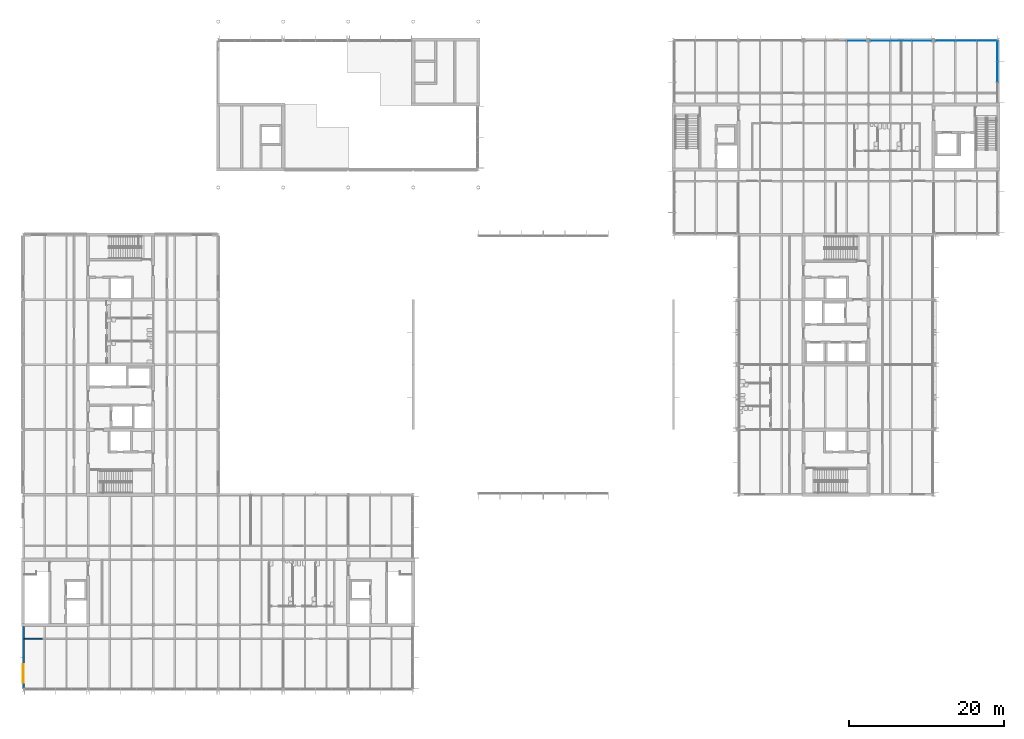
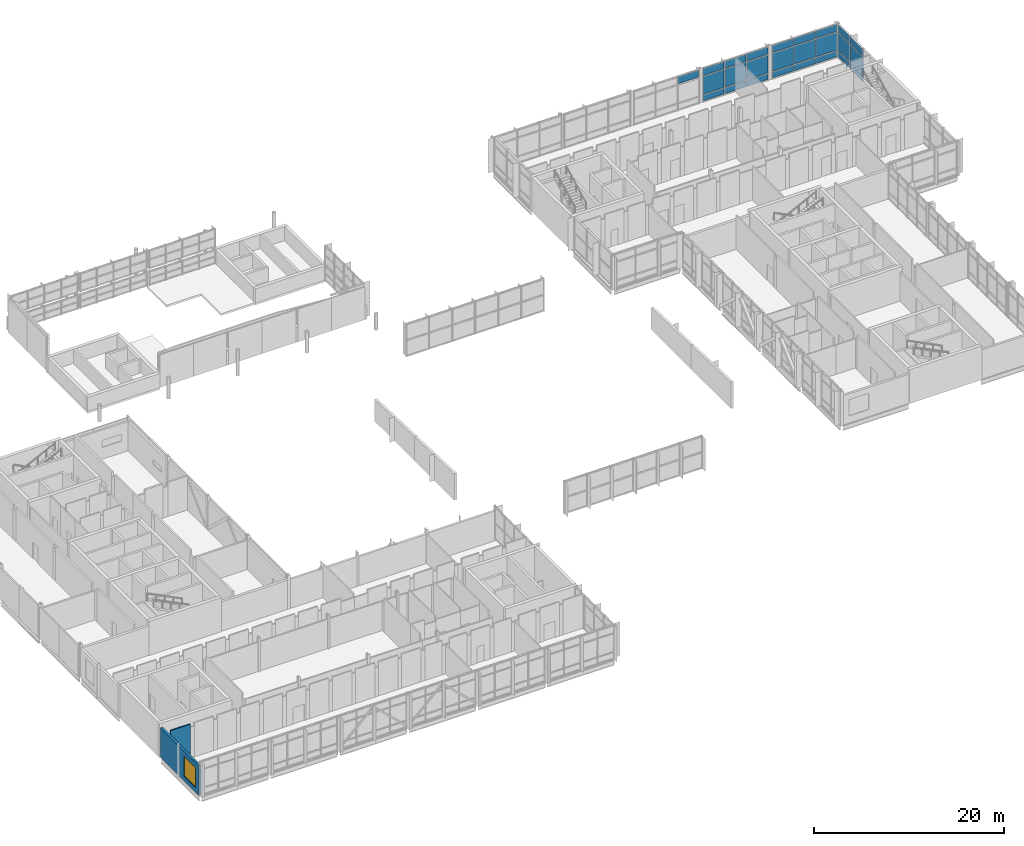
# One storey, part 37 of 72: 25 plates, 2 walls, 1 window, 1 opening, 4 elements without a shape of their own.
"""IFC4 building model written with IfcOpenShell, lengths in metres."""

from ifc_helpers import new_model, si_unit, direction, frame, frame_2d, origin, origin_2d, place, context, subcontext, project, spatial, rectangle, extrude, material, layer, layer_set, type_object, element, fill, aggregate, save


model = new_model("IFC4")

# Units and contexts
model_context = context("Model", 3, precision=1e-05, world=origin(), true_north=direction((0.0, 1.0)))
body_context = subcontext(model_context, "Body", "Model", "MODEL_VIEW")
ifc_project = project(units=[si_unit("LENGTHUNIT", "METRE"), si_unit("AREAUNIT", "SQUARE_METRE"), si_unit("VOLUMEUNIT", "CUBIC_METRE"), si_unit("PLANEANGLEUNIT", "RADIAN"), si_unit("MASSUNIT", "GRAM", prefix="KILO")], contexts=[model_context])

# Site, building, storey
site_placement = place(None, origin())
site = spatial("IfcSite", under=ifc_project, at=site_placement, CompositionType="ELEMENT")
building_placement = place(site_placement, origin())
building = spatial("IfcBuilding", under=site, at=building_placement, Name="Hlaing Beacon Police Headquarters", CompositionType="ELEMENT")
storey_placement = place(building_placement, frame((0.0, 0.0, 14.39990234375)))
storey = spatial("IfcBuildingStorey", under=building, at=storey_placement, Name="L03", CompositionType="ELEMENT", Elevation=14.39990234375)

# Curtain wall, plates
ifc_material_1 = material(Name="Aluminium frame with solar control glazing", Category="aluminium")
curtain_wall_type_1 = type_object("IfcCurtainWallType", Name="Structural glazed gable wall 8.06 x 4.37", PredefinedType="NOTDEFINED", material=ifc_material_1)
curtain_wall_1_placement = place(storey_placement, origin())
curtain_wall_1 = element("IfcCurtainWall", 1, at=curtain_wall_1_placement, inside=storey, type_object=curtain_wall_type_1, Name="ENV-CW-L03-N028", PredefinedType="NOTDEFINED")
ifc_material_2 = material(Name="Insulated aluminium spandrel", Category="aluminium")
ifc_layer_1 = layer(ifc_material_2, 0.0400390625)
ifc_layer_set_1 = layer_set([ifc_layer_1], Name="Insulated aluminium spandrel")
plate_type_1 = type_object("IfcPlateType", Name="Insulated spandrel panel 40", PredefinedType="CURTAIN_PANEL", material=ifc_layer_set_1)
plate_1_placement = place(storey_placement, frame((132.885986328125, 92.25, 0.10009765625), z_axis=(0.0, 0.0, 1.0), x_axis=(-1.0, 0.0, 0.0)))
plate_1 = element("IfcPlate", 2, at=plate_1_placement, type_object=plate_type_1, Name="CW-L03-N028 panel 1.1", PredefinedType="CURTAIN_PANEL", context=body_context, shape_type="SweptSolid", body=[
    extrude(rectangle(XDim=2.568115234375, YDim=0.0400390625, at=origin_2d()), origin(), (0.0, 0.0, 1.0), 0.75),
])
plate_2_placement = place(storey_placement, frame((130.2177734375, 92.25, 0.10009765625), z_axis=(0.0, 0.0, 1.0), x_axis=(-1.0, 0.0, 0.0)))
plate_2 = element("IfcPlate", 3, at=plate_2_placement, type_object=plate_type_1, Name="CW-L03-N028 panel 2.1", PredefinedType="CURTAIN_PANEL", context=body_context, shape_type="SweptSolid", body=[
    extrude(rectangle(XDim=2.608154296875, YDim=0.0400390625, at=origin_2d()), origin(), (0.0, 0.0, 1.0), 0.75),
])
plate_3_placement = place(storey_placement, frame((127.549560546875, 92.25, 0.10009765625), z_axis=(0.0, 0.0, 1.0), x_axis=(-1.0, 0.0, 0.0)))
plate_3 = element("IfcPlate", 4, at=plate_3_placement, type_object=plate_type_1, Name="CW-L03-N028 panel 3.1", PredefinedType="CURTAIN_PANEL", context=body_context, shape_type="SweptSolid", body=[
    extrude(rectangle(XDim=2.568115234375, YDim=0.0400390625, at=origin_2d()), origin(), (0.0, 0.0, 1.0), 0.75),
])

ifc_material_3 = material(Name="Aluminium frame with solar control glazing", Category="aluminium")
curtain_wall_type_2 = type_object("IfcCurtainWallType", Name="Structural glazed gable wall 8.03 x 4.37", PredefinedType="NOTDEFINED", material=ifc_material_3)
curtain_wall_2_placement = place(storey_placement, origin())
curtain_wall_2 = element("IfcCurtainWall", 5, at=curtain_wall_2_placement, inside=storey, type_object=curtain_wall_type_2, Name="ENV-CW-L03-N029", PredefinedType="NOTDEFINED")
plate_4_placement = place(storey_placement, frame((124.456298828125, 92.25, 0.10009765625), z_axis=(0.0, 0.0, 1.0), x_axis=(-1.0, 0.0, 0.0)))
plate_4 = element("IfcPlate", 6, at=plate_4_placement, type_object=plate_type_1, Name="CW-L03-N029 panel 1.1", PredefinedType="CURTAIN_PANEL", context=body_context, shape_type="SweptSolid", body=[
    extrude(rectangle(XDim=2.556396484375, YDim=0.0400390625, at=origin_2d()), origin(), (0.0, 0.0, 1.0), 0.75),
])
plate_5_placement = place(storey_placement, frame((121.800048828125, 92.25, 0.10009765625), z_axis=(0.0, 0.0, 1.0), x_axis=(-1.0, 0.0, 0.0)))
plate_5 = element("IfcPlate", 7, at=plate_5_placement, type_object=plate_type_1, Name="CW-L03-N029 panel 2.1", PredefinedType="CURTAIN_PANEL", context=body_context, shape_type="SweptSolid", body=[
    extrude(rectangle(XDim=2.596435546875, YDim=0.0400390625, at=origin_2d()), origin(), (0.0, 0.0, 1.0), 0.75),
])
plate_6_placement = place(storey_placement, frame((119.1435546875, 92.25, 0.10009765625), z_axis=(0.0, 0.0, 1.0), x_axis=(-1.0, 0.0, 0.0)))
plate_6 = element("IfcPlate", 8, at=plate_6_placement, type_object=plate_type_1, Name="CW-L03-N029 panel 3.1", PredefinedType="CURTAIN_PANEL", context=body_context, shape_type="SweptSolid", body=[
    extrude(rectangle(XDim=2.556396484375, YDim=0.0400390625, at=origin_2d()), origin(), (0.0, 0.0, 1.0), 0.75),
])

ifc_material_4 = material(Name="Aluminium frame with solar control glazing", Category="aluminium")
curtain_wall_type_3 = type_object("IfcCurtainWallType", Name="Structural glazed gable wall 8.02 x 4.37", PredefinedType="NOTDEFINED", material=ifc_material_4)
curtain_wall_3_placement = place(storey_placement, origin())
curtain_wall_3 = element("IfcCurtainWall", 9, at=curtain_wall_3_placement, inside=storey, type_object=curtain_wall_type_3, Name="ENV-CW-L03-E027", PredefinedType="NOTDEFINED")
ifc_material_5 = material(Name="Insulated aluminium spandrel", Category="aluminium")
ifc_layer_2 = layer(ifc_material_5, 0.06005859375)
ifc_layer_set_2 = layer_set([ifc_layer_2], Name="Insulated aluminium spandrel")
plate_type_2 = type_object("IfcPlateType", Name="Insulated spandrel panel 60", PredefinedType="CURTAIN_PANEL", material=ifc_layer_set_2)
plate_7_placement = place(storey_placement, frame((134.25, 88.211669921875, 0.10009765625), z_axis=(0.0, 0.0, 1.0), x_axis=(0.0, 1.0, 0.0)))
plate_7 = element("IfcPlate", 10, at=plate_7_placement, type_object=plate_type_2, Name="CW-L03-E027 panel 2.1", PredefinedType="CURTAIN_PANEL", context=body_context, shape_type="SweptSolid", body=[
    extrude(rectangle(XDim=2.594482421875, YDim=0.06005859375, at=origin_2d()), origin(), (0.0, 0.0, 1.0), 0.75),
])
plate_8_placement = place(storey_placement, frame((134.25, 90.8662109375, 0.10009765625), z_axis=(0.0, 0.0, 1.0), x_axis=(0.0, 1.0, 0.0)))
plate_8 = element("IfcPlate", 11, at=plate_8_placement, type_object=plate_type_2, Name="CW-L03-E027 panel 3.1", PredefinedType="CURTAIN_PANEL", context=body_context, shape_type="SweptSolid", body=[
    extrude(rectangle(XDim=2.554443359375, YDim=0.06005859375, at=origin_2d()), origin(), (0.0, 0.0, 1.0), 0.75),
])
ifc_material_6 = material(Name="Laminated solar control glazing", Category="glass")
ifc_layer_3 = layer(ifc_material_6, 0.031982421875)
ifc_layer_set_3 = layer_set([ifc_layer_3], Name="Laminated solar control glazing")
plate_type_3 = type_object("IfcPlateType", Name="Laminated glazing panel 32", PredefinedType="CURTAIN_PANEL", material=ifc_layer_set_3)
plate_9_placement = place(storey_placement, frame((134.25, 88.211669921875, 3.35009765625), z_axis=(0.0, 0.0, 1.0), x_axis=(0.0, 1.0, 0.0)))
plate_9 = element("IfcPlate", 12, at=plate_9_placement, type_object=plate_type_3, Name="CW-L03-E027 panel 2.3", PredefinedType="CURTAIN_PANEL", context=body_context, shape_type="SweptSolid", body=[
    extrude(rectangle(XDim=2.594482421875, YDim=0.031982421875, at=origin_2d()), origin(), (0.0, 0.0, 1.0), 0.919921875),
])
plate_10_placement = place(storey_placement, frame((134.25, 90.8662109375, 3.35009765625), z_axis=(0.0, 0.0, 1.0), x_axis=(0.0, 1.0, 0.0)))
plate_10 = element("IfcPlate", 13, at=plate_10_placement, type_object=plate_type_3, Name="CW-L03-E027 panel 3.3", PredefinedType="CURTAIN_PANEL", context=body_context, shape_type="SweptSolid", body=[
    extrude(rectangle(XDim=2.554443359375, YDim=0.031982421875, at=origin_2d()), origin(), (0.0, 0.0, 1.0), 0.919921875),
])

# Plate
plate_11_placement = place(storey_placement, frame((132.885986328125, 92.25, 3.35009765625), z_axis=(0.0, 0.0, 1.0), x_axis=(-1.0, 0.0, 0.0)))
plate_11 = element("IfcPlate", 14, at=plate_11_placement, type_object=plate_type_3, Name="CW-L03-N028 panel 1.3", PredefinedType="CURTAIN_PANEL", context=body_context, shape_type="SweptSolid", body=[
    extrude(rectangle(XDim=2.568115234375, YDim=0.031982421875, at=origin_2d()), origin(), (0.0, 0.0, 1.0), 0.919921875),
])

plate_12_placement = place(storey_placement, frame((130.2177734375, 92.25, 3.35009765625), z_axis=(0.0, 0.0, 1.0), x_axis=(-1.0, 0.0, 0.0)))
plate_12 = element("IfcPlate", 15, at=plate_12_placement, type_object=plate_type_3, Name="CW-L03-N028 panel 2.3", PredefinedType="CURTAIN_PANEL", context=body_context, shape_type="SweptSolid", body=[
    extrude(rectangle(XDim=2.608154296875, YDim=0.031982421875, at=origin_2d()), origin(), (0.0, 0.0, 1.0), 0.919921875),
])

plate_13_placement = place(storey_placement, frame((127.549560546875, 92.25, 3.35009765625), z_axis=(0.0, 0.0, 1.0), x_axis=(-1.0, 0.0, 0.0)))
plate_13 = element("IfcPlate", 16, at=plate_13_placement, type_object=plate_type_3, Name="CW-L03-N028 panel 3.3", PredefinedType="CURTAIN_PANEL", context=body_context, shape_type="SweptSolid", body=[
    extrude(rectangle(XDim=2.568115234375, YDim=0.031982421875, at=origin_2d()), origin(), (0.0, 0.0, 1.0), 0.919921875),
])

plate_14_placement = place(storey_placement, frame((124.456298828125, 92.25, 3.35009765625), z_axis=(0.0, 0.0, 1.0), x_axis=(-1.0, 0.0, 0.0)))
plate_14 = element("IfcPlate", 17, at=plate_14_placement, type_object=plate_type_3, Name="CW-L03-N029 panel 1.3", PredefinedType="CURTAIN_PANEL", context=body_context, shape_type="SweptSolid", body=[
    extrude(rectangle(XDim=2.556396484375, YDim=0.031982421875, at=origin_2d()), origin(), (0.0, 0.0, 1.0), 0.919921875),
])

plate_15_placement = place(storey_placement, frame((121.800048828125, 92.25, 3.35009765625), z_axis=(0.0, 0.0, 1.0), x_axis=(-1.0, 0.0, 0.0)))
plate_15 = element("IfcPlate", 18, at=plate_15_placement, type_object=plate_type_3, Name="CW-L03-N029 panel 2.3", PredefinedType="CURTAIN_PANEL", context=body_context, shape_type="SweptSolid", body=[
    extrude(rectangle(XDim=2.596435546875, YDim=0.031982421875, at=origin_2d()), origin(), (0.0, 0.0, 1.0), 0.919921875),
])

plate_16_placement = place(storey_placement, frame((119.1435546875, 92.25, 3.35009765625), z_axis=(0.0, 0.0, 1.0), x_axis=(-1.0, 0.0, 0.0)))
plate_16 = element("IfcPlate", 19, at=plate_16_placement, type_object=plate_type_3, Name="CW-L03-N029 panel 3.3", PredefinedType="CURTAIN_PANEL", context=body_context, shape_type="SweptSolid", body=[
    extrude(rectangle(XDim=2.556396484375, YDim=0.031982421875, at=origin_2d()), origin(), (0.0, 0.0, 1.0), 0.919921875),
])

# Curtain wall, plate
curtain_wall_4_placement = place(storey_placement, origin())
curtain_wall_4 = element("IfcCurtainWall", 20, at=curtain_wall_4_placement, inside=storey, type_object=curtain_wall_type_2, Name="ENV-CW-L03-N030", PredefinedType="NOTDEFINED")
plate_17_placement = place(storey_placement, frame((116.056396484375, 92.25, 3.35009765625), z_axis=(0.0, 0.0, 1.0), x_axis=(-1.0, 0.0, 0.0)))
plate_17 = element("IfcPlate", 21, at=plate_17_placement, type_object=plate_type_3, Name="CW-L03-N030 panel 1.3", PredefinedType="CURTAIN_PANEL", context=body_context, shape_type="SweptSolid", body=[
    extrude(rectangle(XDim=2.556396484375, YDim=0.031982421875, at=origin_2d()), origin(), (0.0, 0.0, 1.0), 0.919921875),
])
aggregate(curtain_wall_4, [plate_17])

# Plate
ifc_material_7 = material(Name="Laminated solar control glazing", Category="glass")
ifc_layer_4 = layer(ifc_material_7, 0.0439453125)
ifc_layer_set_4 = layer_set([ifc_layer_4], Name="Laminated solar control glazing")
plate_type_4 = type_object("IfcPlateType", Name="Laminated glazing panel 44", PredefinedType="CURTAIN_PANEL", material=ifc_layer_set_4)
plate_18_placement = place(storey_placement, frame((134.25, 88.211669921875, 0.9501953125), z_axis=(0.0, 0.0, 1.0), x_axis=(0.0, 1.0, 0.0)))
plate_18 = element("IfcPlate", 22, at=plate_18_placement, type_object=plate_type_4, Name="CW-L03-E027 panel 2.2", PredefinedType="CURTAIN_PANEL", context=body_context, shape_type="SweptSolid", body=[
    extrude(rectangle(XDim=2.594482421875, YDim=0.0439453125, at=origin_2d()), origin(), (0.0, 0.0, 1.0), 2.300048828125),
])

plate_19_placement = place(storey_placement, frame((134.25, 90.8662109375, 0.9501953125), z_axis=(0.0, 0.0, 1.0), x_axis=(0.0, 1.0, 0.0)))
plate_19 = element("IfcPlate", 23, at=plate_19_placement, type_object=plate_type_4, Name="CW-L03-E027 panel 3.2", PredefinedType="CURTAIN_PANEL", context=body_context, shape_type="SweptSolid", body=[
    extrude(rectangle(XDim=2.554443359375, YDim=0.0439453125, at=origin_2d()), origin(), (0.0, 0.0, 1.0), 2.300048828125),
])

aggregate(curtain_wall_3, [plate_7, plate_18, plate_9, plate_8, plate_19, plate_10])

plate_20_placement = place(storey_placement, frame((132.885986328125, 92.25, 0.9501953125), z_axis=(0.0, 0.0, 1.0), x_axis=(-1.0, 0.0, 0.0)))
plate_20 = element("IfcPlate", 24, at=plate_20_placement, type_object=plate_type_4, Name="CW-L03-N028 panel 1.2", PredefinedType="CURTAIN_PANEL", context=body_context, shape_type="SweptSolid", body=[
    extrude(rectangle(XDim=2.568115234375, YDim=0.0439453125, at=origin_2d()), origin(), (0.0, 0.0, 1.0), 2.300048828125),
])

plate_21_placement = place(storey_placement, frame((130.2177734375, 92.25, 0.9501953125), z_axis=(0.0, 0.0, 1.0), x_axis=(-1.0, 0.0, 0.0)))
plate_21 = element("IfcPlate", 25, at=plate_21_placement, type_object=plate_type_4, Name="CW-L03-N028 panel 2.2", PredefinedType="CURTAIN_PANEL", context=body_context, shape_type="SweptSolid", body=[
    extrude(rectangle(XDim=2.608154296875, YDim=0.0439453125, at=origin_2d()), origin(), (0.0, 0.0, 1.0), 2.300048828125),
])

plate_22_placement = place(storey_placement, frame((127.549560546875, 92.25, 0.9501953125), z_axis=(0.0, 0.0, 1.0), x_axis=(-1.0, 0.0, 0.0)))
plate_22 = element("IfcPlate", 26, at=plate_22_placement, type_object=plate_type_4, Name="CW-L03-N028 panel 3.2", PredefinedType="CURTAIN_PANEL", context=body_context, shape_type="SweptSolid", body=[
    extrude(rectangle(XDim=2.568115234375, YDim=0.0439453125, at=origin_2d()), origin(), (0.0, 0.0, 1.0), 2.300048828125),
])

aggregate(curtain_wall_1, [plate_1, plate_20, plate_11, plate_2, plate_21, plate_12, plate_3, plate_22, plate_13])

plate_23_placement = place(storey_placement, frame((124.456298828125, 92.25, 0.9501953125), z_axis=(0.0, 0.0, 1.0), x_axis=(-1.0, 0.0, 0.0)))
plate_23 = element("IfcPlate", 27, at=plate_23_placement, type_object=plate_type_4, Name="CW-L03-N029 panel 1.2", PredefinedType="CURTAIN_PANEL", context=body_context, shape_type="SweptSolid", body=[
    extrude(rectangle(XDim=2.556396484375, YDim=0.0439453125, at=origin_2d()), origin(), (0.0, 0.0, 1.0), 2.300048828125),
])

plate_24_placement = place(storey_placement, frame((121.800048828125, 92.25, 0.9501953125), z_axis=(0.0, 0.0, 1.0), x_axis=(-1.0, 0.0, 0.0)))
plate_24 = element("IfcPlate", 28, at=plate_24_placement, type_object=plate_type_4, Name="CW-L03-N029 panel 2.2", PredefinedType="CURTAIN_PANEL", context=body_context, shape_type="SweptSolid", body=[
    extrude(rectangle(XDim=2.596435546875, YDim=0.0439453125, at=origin_2d()), origin(), (0.0, 0.0, 1.0), 2.300048828125),
])

plate_25_placement = place(storey_placement, frame((119.1435546875, 92.25, 0.9501953125), z_axis=(0.0, 0.0, 1.0), x_axis=(-1.0, 0.0, 0.0)))
plate_25 = element("IfcPlate", 29, at=plate_25_placement, type_object=plate_type_4, Name="CW-L03-N029 panel 3.2", PredefinedType="CURTAIN_PANEL", context=body_context, shape_type="SweptSolid", body=[
    extrude(rectangle(XDim=2.556396484375, YDim=0.0439453125, at=origin_2d()), origin(), (0.0, 0.0, 1.0), 2.300048828125),
])

aggregate(curtain_wall_2, [plate_4, plate_23, plate_14, plate_5, plate_24, plate_15, plate_6, plate_25, plate_16])

# Wall
ifc_material_8 = material(Name="Gypsum board partition")
ifc_layer_5 = layer(ifc_material_8, 0.14990234375)
ifc_layer_set_5 = layer_set([ifc_layer_5], Name="Gypsum board partition")
wall_type_1 = type_object("IfcWallType", Name="Corridor wall EI 30 150", PredefinedType="PARTITIONING", material=ifc_layer_set_5)
wall_1_placement = place(storey_placement, frame((8.550048828125, 15.0, 0.0), z_axis=(0.0, 0.0, 1.0), x_axis=(1.0, 0.0, 0.0)))
element("IfcWall", 30, at=wall_1_placement, inside=storey, type_object=wall_type_1, Name="Corridor wall EI 30 150", PredefinedType="PARTITIONING", context=body_context, shape_type="SweptSolid", body=[
    extrude(rectangle(XDim=2.419921875, YDim=0.14990234375, at=frame_2d((1.2099609375, 0.0))), origin(), (0.0, 0.0, 1.0), 4.3701171875),
])

# Wall, opening, window
ifc_material_9 = material(Name="Concrete C40/50 precast ribbed cladding", Category="concrete")
ifc_layer_6 = layer(ifc_material_9, 0.25)
ifc_layer_set_6 = layer_set([ifc_layer_6], Name="Concrete C40/50 precast ribbed cladding")
wall_type_2 = type_object("IfcWallType", Name="Precast ribbed wall 250", PredefinedType="SOLIDWALL", material=ifc_layer_set_6)
wall_2_placement = place(storey_placement, frame((8.425048828125, 16.60009765625, 0.0), z_axis=(0.0, 0.0, 1.0), x_axis=(0.0, -1.0, 0.0)))
wall_2 = element("IfcWall", 31, at=wall_2_placement, inside=storey, type_object=wall_type_2, Name="External wall L03 W023", PredefinedType="SOLIDWALL", context=body_context, shape_type="SweptSolid", body=[
    extrude(rectangle(XDim=8.02978515625, YDim=0.25, at=frame_2d((4.014892578125, 0.0))), origin(), (0.0, 0.0, 1.0), 3.819091796875),
])
opening_placement = place(wall_2_placement, frame((4.89990234375, 0.0, 0.60009765625)))
opening = element("IfcOpeningElement", 32, at=opening_placement, cuts=wall_2, Name="Opening WN32", PredefinedType="OPENING", context=body_context, shape_type="SweptSolid", body=[
    extrude(rectangle(XDim=2.39990234375, YDim=2.550048828125, at=frame_2d((1.199951171875, 1.27490234375))), frame((0.0, 0.135009765625, 0.0), z_axis=(0.0, -1.0, 0.0), x_axis=(1.0, 0.0, 0.0)), (0.0, 0.0, 1.0), 0.27001953125),
])
ifc_material_10 = material(Name="Aluminium frame with solar control glazing", Category="aluminium")
window_type = type_object("IfcWindowType", Name="Window 2400x2550 frame 80", PartitioningType="SINGLE_PANEL", PredefinedType="WINDOW", material=ifc_material_10)
window_placement = place(opening_placement, origin())
window = element("IfcWindow", 33, at=window_placement, inside=storey, type_object=window_type, Name="Window L03 WA", OverallHeight=2.550048828125, OverallWidth=2.39990234375, PartitioningType="SINGLE_PANEL", PredefinedType="WINDOW", context=body_context, shape_type="SweptSolid", body=[
    extrude(rectangle(XDim=2.39990234375, YDim=2.550048828125, at=frame_2d((1.199951171875, 1.27490234375))), frame((0.0, 0.0400390625, 0.0), z_axis=(0.0, -1.0, 0.0), x_axis=(1.0, 0.0, 0.0)), (0.0, 0.0, 1.0), 0.080078125),
])
fill(opening, window)

save(model, "model.ifc")
